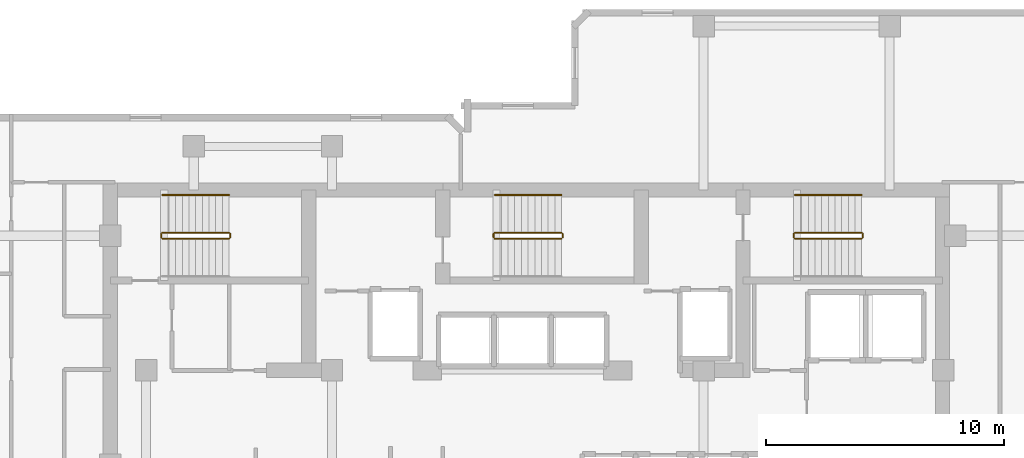
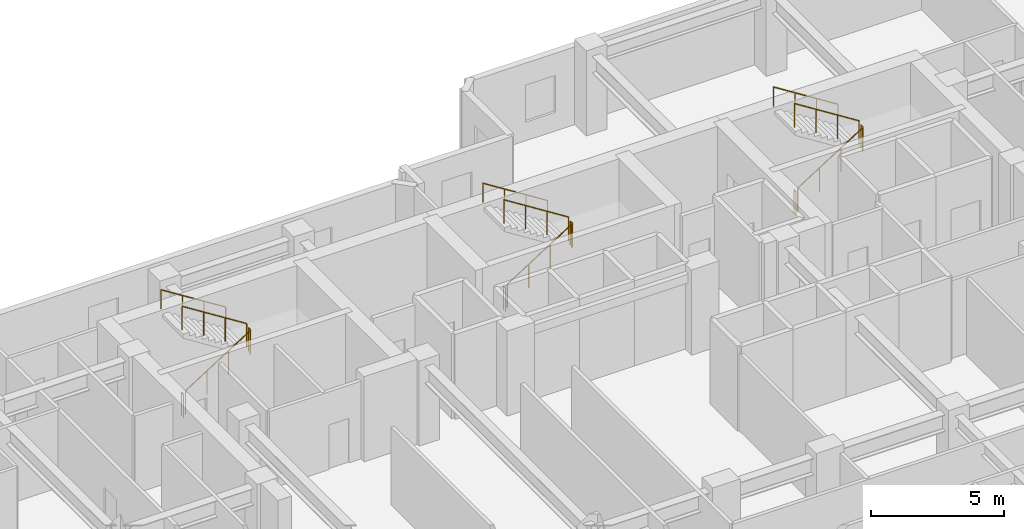
# One storey, part 11 of 11: 15 railings.
"""IFC4 building model written with IfcOpenShell, lengths in metres."""

from ifc_helpers import new_model, si_unit, direction, frame, origin, origin_2d, place, context, subcontext, project, spatial, circle, extrude, material, type_object, element, save


model = new_model("IFC4")

# Units and contexts
model_context = context("Model", 3, precision=1e-05, world=origin(), true_north=direction((0.0, 1.0)))
body_context = subcontext(model_context, "Body", "Model", "MODEL_VIEW")
ifc_project = project(units=[si_unit("LENGTHUNIT", "METRE"), si_unit("AREAUNIT", "SQUARE_METRE"), si_unit("VOLUMEUNIT", "CUBIC_METRE"), si_unit("PLANEANGLEUNIT", "RADIAN"), si_unit("MASSUNIT", "GRAM", prefix="KILO")], contexts=[model_context])

# Site, building, storey
site_placement = place(None, origin())
site = spatial("IfcSite", under=ifc_project, at=site_placement, CompositionType="ELEMENT")
building_placement = place(site_placement, origin())
building = spatial("IfcBuilding", under=site, at=building_placement, Name="Kestravale Grand Hotel", CompositionType="ELEMENT")
storey_placement = place(building_placement, frame((0.0, 0.0, 228.0)))
storey = spatial("IfcBuildingStorey", under=building, at=storey_placement, Name="L57", CompositionType="ELEMENT", Elevation=228.0)

# Railings
ifc_material_1 = material(Name="Painted tubular steel stair well guard", Category="steel")
railing_type_1 = type_object("IfcRailingType", Name="RL-ST-GRD1100", PredefinedType="GUARDRAIL", material=ifc_material_1)
railing_1_placement = place(storey_placement, frame((24.080078125, 38.280029296875, 0.17724609375)))
element("IfcRailing", 1, at=railing_1_placement, inside=storey, type_object=railing_type_1, Name="L57 ST-1 stair guard 1", PredefinedType="GUARDRAIL", context=body_context, shape_type="SweptSolid", body=[
    extrude(circle(Radius=0.02392578125, at=origin_2d()), frame((0.0, 0.0, 1.076171875), z_axis=(0.844887892834, 0.0, 0.53494340686), x_axis=(0.0, 1.0, 0.0)), (0.0, 0.0, 1.0), 3.313720703125),
    extrude(circle(Radius=0.02099609375, at=origin_2d()), origin(), (0.0, 0.0, 1.0), 1.052001953125),
    extrude(circle(Radius=0.02099609375, at=origin_2d()), frame((0.933349609375, 0.0, 0.5908203125)), (0.0, 0.0, 1.0), 1.052001953125),
    extrude(circle(Radius=0.02099609375, at=origin_2d()), frame((1.866455078125, 0.0, 1.181884765625)), (0.0, 0.0, 1.0), 1.052001953125),
    extrude(circle(Radius=0.02099609375, at=origin_2d()), frame((2.7998046875, 0.0, 1.772705078125)), (0.0, 0.0, 1.0), 1.052001953125),
])
railing_2_placement = place(storey_placement, frame((26.929931640625, 38.330078125, 1.949951171875)))
element("IfcRailing", 2, at=railing_2_placement, inside=storey, type_object=railing_type_1, Name="L57 ST-1 stair guard 2", PredefinedType="GUARDRAIL", context=body_context, shape_type="SweptSolid", body=[
    extrude(circle(Radius=0.02392578125, at=origin_2d()), frame((0.0, 0.0, 1.076171875), z_axis=(0.0, 1.0, 0.0), x_axis=(-1.0, 0.0, 0.0)), (0.0, 0.0, 1.0), 0.14990234375),
    extrude(circle(Radius=0.02099609375, at=origin_2d()), origin(), (0.0, 0.0, 1.0), 1.052001953125),
    extrude(circle(Radius=0.02099609375, at=origin_2d()), frame((0.0, 0.14990234375, 0.0)), (0.0, 0.0, 1.0), 1.052001953125),
])
railing_3_placement = place(storey_placement, frame((26.8798828125, 38.530029296875, 2.127197265625)))
element("IfcRailing", 3, at=railing_3_placement, inside=storey, type_object=railing_type_1, Name="L57 ST-1 stair guard 3", PredefinedType="GUARDRAIL", context=body_context, shape_type="SweptSolid", body=[
    extrude(circle(Radius=0.02392578125, at=origin_2d()), frame((0.0, 0.0, 1.076171875), z_axis=(-0.844887892834, 0.0, 0.53494340686), x_axis=(0.0, -1.0, 0.0)), (0.0, 0.0, 1.0), 3.313720703125),
    extrude(circle(Radius=0.02099609375, at=origin_2d()), origin(), (0.0, 0.0, 1.0), 1.052001953125),
    extrude(circle(Radius=0.02099609375, at=origin_2d()), frame((-0.933349609375, 0.0, 0.5908203125)), (0.0, 0.0, 1.0), 1.052001953125),
    extrude(circle(Radius=0.02099609375, at=origin_2d()), frame((-1.866455078125, 0.0, 1.181884765625)), (0.0, 0.0, 1.0), 1.052001953125),
    extrude(circle(Radius=0.02099609375, at=origin_2d()), frame((-2.7998046875, 0.0, 1.772705078125)), (0.0, 0.0, 1.0), 1.052001953125),
])
railing_4_placement = place(storey_placement, frame((24.030029296875, 38.330078125, 0.0)))
element("IfcRailing", 4, at=railing_4_placement, inside=storey, type_object=railing_type_1, Name="L57 ST-1 stair guard 4", PredefinedType="GUARDRAIL", context=body_context, shape_type="SweptSolid", body=[
    extrude(circle(Radius=0.02392578125, at=origin_2d()), frame((0.0, 0.0, 1.076171875), z_axis=(0.0, 1.0, 0.0), x_axis=(-1.0, 0.0, 0.0)), (0.0, 0.0, 1.0), 0.14990234375),
    extrude(circle(Radius=0.02099609375, at=origin_2d()), origin(), (0.0, 0.0, 1.0), 1.052001953125),
    extrude(circle(Radius=0.02099609375, at=origin_2d()), frame((0.0, 0.14990234375, 0.0)), (0.0, 0.0, 1.0), 1.052001953125),
])
railing_5_placement = place(storey_placement, frame((38.030029296875, 38.280029296875, 0.17724609375)))
element("IfcRailing", 5, at=railing_5_placement, inside=storey, type_object=railing_type_1, Name="L57 ST-2 stair guard 1", PredefinedType="GUARDRAIL", context=body_context, shape_type="SweptSolid", body=[
    extrude(circle(Radius=0.02392578125, at=origin_2d()), frame((0.0, 0.0, 1.076171875), z_axis=(0.844908973607, 0.0, 0.534910110503), x_axis=(0.0, 1.0, 0.0)), (0.0, 0.0, 1.0), 3.31396484375),
    extrude(circle(Radius=0.02099609375, at=origin_2d()), origin(), (0.0, 0.0, 1.0), 1.052001953125),
    extrude(circle(Radius=0.02099609375, at=origin_2d()), frame((0.933349609375, 0.0, 0.5908203125)), (0.0, 0.0, 1.0), 1.052001953125),
    extrude(circle(Radius=0.02099609375, at=origin_2d()), frame((1.86669921875, 0.0, 1.181884765625)), (0.0, 0.0, 1.0), 1.052001953125),
    extrude(circle(Radius=0.02099609375, at=origin_2d()), frame((2.800048828125, 0.0, 1.772705078125)), (0.0, 0.0, 1.0), 1.052001953125),
])
railing_6_placement = place(storey_placement, frame((40.8798828125, 38.330078125, 1.949951171875)))
element("IfcRailing", 6, at=railing_6_placement, inside=storey, type_object=railing_type_1, Name="L57 ST-2 stair guard 2", PredefinedType="GUARDRAIL", context=body_context, shape_type="SweptSolid", body=[
    extrude(circle(Radius=0.02392578125, at=origin_2d()), frame((0.0, 0.0, 1.076171875), z_axis=(0.0, 1.0, 0.0), x_axis=(-1.0, 0.0, 0.0)), (0.0, 0.0, 1.0), 0.14990234375),
    extrude(circle(Radius=0.02099609375, at=origin_2d()), origin(), (0.0, 0.0, 1.0), 1.052001953125),
    extrude(circle(Radius=0.02099609375, at=origin_2d()), frame((0.0, 0.14990234375, 0.0)), (0.0, 0.0, 1.0), 1.052001953125),
])
railing_7_placement = place(storey_placement, frame((40.830078125, 38.530029296875, 2.127197265625)))
element("IfcRailing", 7, at=railing_7_placement, inside=storey, type_object=railing_type_1, Name="L57 ST-2 stair guard 3", PredefinedType="GUARDRAIL", context=body_context, shape_type="SweptSolid", body=[
    extrude(circle(Radius=0.02392578125, at=origin_2d()), frame((0.0, 0.0, 1.076171875), z_axis=(-0.844908973607, 0.0, 0.534910110503), x_axis=(0.0, -1.0, 0.0)), (0.0, 0.0, 1.0), 3.31396484375),
    extrude(circle(Radius=0.02099609375, at=origin_2d()), origin(), (0.0, 0.0, 1.0), 1.052001953125),
    extrude(circle(Radius=0.02099609375, at=origin_2d()), frame((-0.933349609375, 0.0, 0.5908203125)), (0.0, 0.0, 1.0), 1.052001953125),
    extrude(circle(Radius=0.02099609375, at=origin_2d()), frame((-1.86669921875, 0.0, 1.181884765625)), (0.0, 0.0, 1.0), 1.052001953125),
    extrude(circle(Radius=0.02099609375, at=origin_2d()), frame((-2.800048828125, 0.0, 1.772705078125)), (0.0, 0.0, 1.0), 1.052001953125),
])
railing_8_placement = place(storey_placement, frame((37.97998046875, 38.330078125, 0.0)))
element("IfcRailing", 8, at=railing_8_placement, inside=storey, type_object=railing_type_1, Name="L57 ST-2 stair guard 4", PredefinedType="GUARDRAIL", context=body_context, shape_type="SweptSolid", body=[
    extrude(circle(Radius=0.02392578125, at=origin_2d()), frame((0.0, 0.0, 1.076171875), z_axis=(0.0, 1.0, 0.0), x_axis=(-1.0, 0.0, 0.0)), (0.0, 0.0, 1.0), 0.14990234375),
    extrude(circle(Radius=0.02099609375, at=origin_2d()), origin(), (0.0, 0.0, 1.0), 1.052001953125),
    extrude(circle(Radius=0.02099609375, at=origin_2d()), frame((0.0, 0.14990234375, 0.0)), (0.0, 0.0, 1.0), 1.052001953125),
])
railing_9_placement = place(storey_placement, frame((50.6298828125, 38.280029296875, 0.17724609375)))
element("IfcRailing", 9, at=railing_9_placement, inside=storey, type_object=railing_type_1, Name="L57 ST-3 stair guard 1", PredefinedType="GUARDRAIL", context=body_context, shape_type="SweptSolid", body=[
    extrude(circle(Radius=0.02392578125, at=origin_2d()), frame((0.0, 0.0, 1.076171875), z_axis=(0.844908973607, 0.0, 0.534910110503), x_axis=(0.0, 1.0, 0.0)), (0.0, 0.0, 1.0), 3.31396484375),
    extrude(circle(Radius=0.02099609375, at=origin_2d()), origin(), (0.0, 0.0, 1.0), 1.052001953125),
    extrude(circle(Radius=0.02099609375, at=origin_2d()), frame((0.933349609375, 0.0, 0.5908203125)), (0.0, 0.0, 1.0), 1.052001953125),
    extrude(circle(Radius=0.02099609375, at=origin_2d()), frame((1.86669921875, 0.0, 1.181884765625)), (0.0, 0.0, 1.0), 1.052001953125),
    extrude(circle(Radius=0.02099609375, at=origin_2d()), frame((2.800048828125, 0.0, 1.772705078125)), (0.0, 0.0, 1.0), 1.052001953125),
])
railing_10_placement = place(storey_placement, frame((53.47998046875, 38.330078125, 1.949951171875)))
element("IfcRailing", 10, at=railing_10_placement, inside=storey, type_object=railing_type_1, Name="L57 ST-3 stair guard 2", PredefinedType="GUARDRAIL", context=body_context, shape_type="SweptSolid", body=[
    extrude(circle(Radius=0.02392578125, at=origin_2d()), frame((0.0, 0.0, 1.076171875), z_axis=(0.0, 1.0, 0.0), x_axis=(-1.0, 0.0, 0.0)), (0.0, 0.0, 1.0), 0.14990234375),
    extrude(circle(Radius=0.02099609375, at=origin_2d()), origin(), (0.0, 0.0, 1.0), 1.052001953125),
    extrude(circle(Radius=0.02099609375, at=origin_2d()), frame((0.0, 0.14990234375, 0.0)), (0.0, 0.0, 1.0), 1.052001953125),
])
railing_11_placement = place(storey_placement, frame((53.429931640625, 38.530029296875, 2.127197265625)))
element("IfcRailing", 11, at=railing_11_placement, inside=storey, type_object=railing_type_1, Name="L57 ST-3 stair guard 3", PredefinedType="GUARDRAIL", context=body_context, shape_type="SweptSolid", body=[
    extrude(circle(Radius=0.02392578125, at=origin_2d()), frame((0.0, 0.0, 1.076171875), z_axis=(-0.844908973607, 0.0, 0.534910110503), x_axis=(0.0, -1.0, 0.0)), (0.0, 0.0, 1.0), 3.31396484375),
    extrude(circle(Radius=0.02099609375, at=origin_2d()), origin(), (0.0, 0.0, 1.0), 1.052001953125),
    extrude(circle(Radius=0.02099609375, at=origin_2d()), frame((-0.933349609375, 0.0, 0.5908203125)), (0.0, 0.0, 1.0), 1.052001953125),
    extrude(circle(Radius=0.02099609375, at=origin_2d()), frame((-1.86669921875, 0.0, 1.181884765625)), (0.0, 0.0, 1.0), 1.052001953125),
    extrude(circle(Radius=0.02099609375, at=origin_2d()), frame((-2.800048828125, 0.0, 1.772705078125)), (0.0, 0.0, 1.0), 1.052001953125),
])
railing_12_placement = place(storey_placement, frame((50.580078125, 38.330078125, 0.0)))
element("IfcRailing", 12, at=railing_12_placement, inside=storey, type_object=railing_type_1, Name="L57 ST-3 stair guard 4", PredefinedType="GUARDRAIL", context=body_context, shape_type="SweptSolid", body=[
    extrude(circle(Radius=0.02392578125, at=origin_2d()), frame((0.0, 0.0, 1.076171875), z_axis=(0.0, 1.0, 0.0), x_axis=(-1.0, 0.0, 0.0)), (0.0, 0.0, 1.0), 0.14990234375),
    extrude(circle(Radius=0.02099609375, at=origin_2d()), origin(), (0.0, 0.0, 1.0), 1.052001953125),
    extrude(circle(Radius=0.02099609375, at=origin_2d()), frame((0.0, 0.14990234375, 0.0)), (0.0, 0.0, 1.0), 1.052001953125),
])
ifc_material_2 = material(Name="Brushed stainless steel wall handrail", Category="steel")
railing_type_2 = type_object("IfcRailingType", Name="RL-ST-HND900", PredefinedType="HANDRAIL", material=ifc_material_2)
railing_13_placement = place(storey_placement, frame((26.8798828125, 40.110107421875, 2.127197265625)))
element("IfcRailing", 13, at=railing_13_placement, inside=storey, type_object=railing_type_2, Name="L57 ST-1 stair handrail 2", PredefinedType="HANDRAIL", context=body_context, shape_type="SweptSolid", body=[
    extrude(circle(Radius=0.02392578125, at=origin_2d()), frame((0.0, 0.0, 0.8759765625), z_axis=(-0.844887892834, 0.0, 0.53494340686), x_axis=(0.0, -1.0, 0.0)), (0.0, 0.0, 1.0), 3.313720703125),
    extrude(circle(Radius=0.02099609375, at=origin_2d()), origin(), (0.0, 0.0, 1.0), 0.851806640625),
    extrude(circle(Radius=0.02099609375, at=origin_2d()), frame((-0.933349609375, 0.0, 0.5908203125)), (0.0, 0.0, 1.0), 0.851806640625),
    extrude(circle(Radius=0.02099609375, at=origin_2d()), frame((-1.866455078125, 0.0, 1.181884765625)), (0.0, 0.0, 1.0), 0.851806640625),
    extrude(circle(Radius=0.02099609375, at=origin_2d()), frame((-2.7998046875, 0.0, 1.772705078125)), (0.0, 0.0, 1.0), 0.851806640625),
])
for number, where, name in (
    (14, (40.830078125, 40.110107421875, 2.127197265625), "L57 ST-2 stair handrail 2"),
    (15, (53.429931640625, 40.110107421875, 2.127197265625), "L57 ST-3 stair handrail 2"),
):
    element("IfcRailing", number, at=place(storey_placement, frame(where)), inside=storey, type_object=railing_type_2, Name=name, PredefinedType="HANDRAIL", context=body_context, shape_type="SweptSolid", body=[
        extrude(circle(Radius=0.02392578125, at=origin_2d()), frame((0.0, 0.0, 0.8759765625), z_axis=(-0.844908973607, 0.0, 0.534910110503), x_axis=(0.0, -1.0, 0.0)), (0.0, 0.0, 1.0), 3.31396484375),
        extrude(circle(Radius=0.02099609375, at=origin_2d()), origin(), (0.0, 0.0, 1.0), 0.851806640625),
        extrude(circle(Radius=0.02099609375, at=origin_2d()), frame((-0.933349609375, 0.0, 0.5908203125)), (0.0, 0.0, 1.0), 0.851806640625),
        extrude(circle(Radius=0.02099609375, at=origin_2d()), frame((-1.86669921875, 0.0, 1.181884765625)), (0.0, 0.0, 1.0), 0.851806640625),
        extrude(circle(Radius=0.02099609375, at=origin_2d()), frame((-2.800048828125, 0.0, 1.772705078125)), (0.0, 0.0, 1.0), 0.851806640625),
    ])

save(model, "model.ifc")
